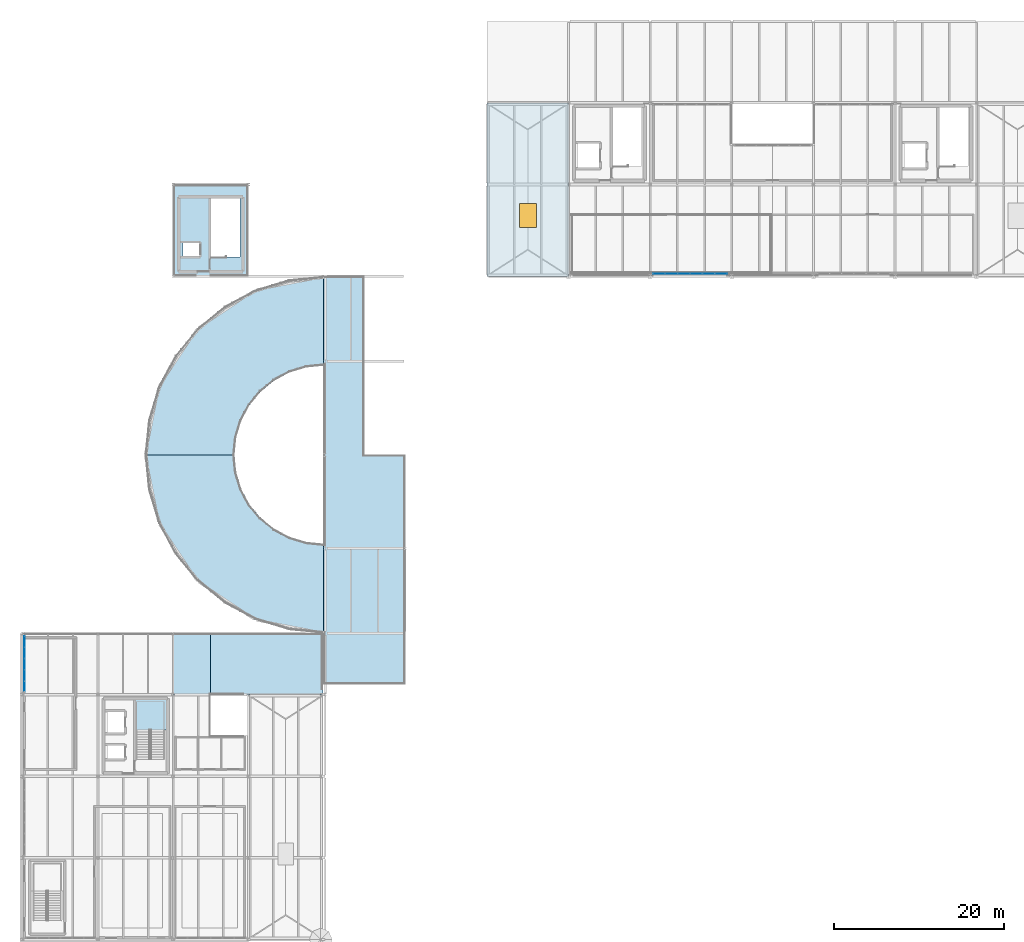
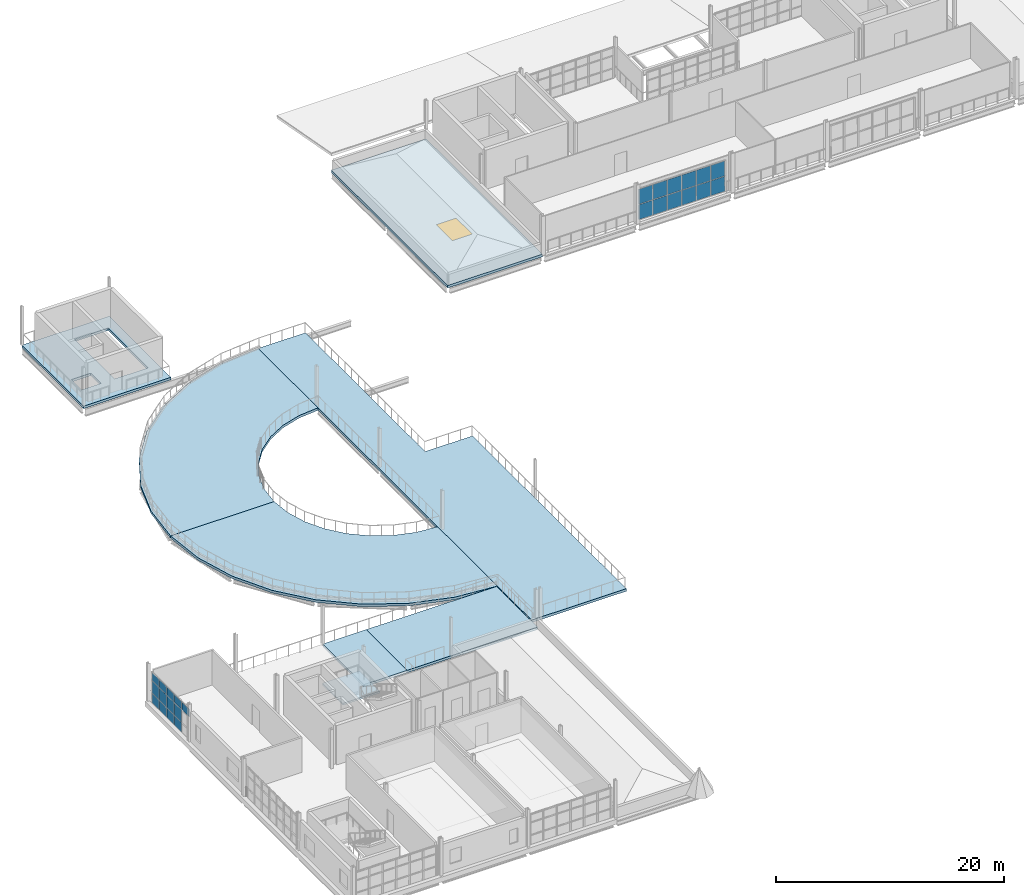
# One storey, part 35 of 58: 25 plates, 8 slabs, 1 window, 1 opening, 3 elements without a shape of their own.
"""IFC4 building model written with IfcOpenShell, lengths in metres."""

from ifc_helpers import new_model, si_unit, direction, frame, origin, origin_2d, place, context, subcontext, project, spatial, polyline, rectangle, outline, extrude, material, layer, layer_set, type_object, element, fill, aggregate, save


model = new_model("IFC4")

# Units and contexts
model_context = context("Model", 3, precision=1e-05, world=origin(), true_north=direction((0.0, 1.0)))
body_context = subcontext(model_context, "Body", "Model", "MODEL_VIEW")
ifc_project = project(units=[si_unit("LENGTHUNIT", "METRE"), si_unit("AREAUNIT", "SQUARE_METRE"), si_unit("VOLUMEUNIT", "CUBIC_METRE"), si_unit("PLANEANGLEUNIT", "RADIAN"), si_unit("MASSUNIT", "GRAM", prefix="KILO")], contexts=[model_context])

# Site, building, storey
site_placement = place(None, origin())
site = spatial("IfcSite", under=ifc_project, at=site_placement, CompositionType="ELEMENT")
building_placement = place(site_placement, origin())
building = spatial("IfcBuilding", under=site, at=building_placement, Name="Yeouljin Market Hall", CompositionType="ELEMENT")
storey_placement = place(building_placement, frame((0.0, 0.0, 10.800048828125)))
storey = spatial("IfcBuildingStorey", under=building, at=storey_placement, Name="L02", CompositionType="ELEMENT", Elevation=10.800048828125)

# Curtain wall, plates
ifc_material_1 = material(Name="Thermally Broken Aluminium", Category="aluminium")
ifc_layer_1 = layer(ifc_material_1, 0.14990234375)
ifc_layer_set_1 = layer_set([ifc_layer_1], Name="Thermally Broken Aluminium")
curtain_wall_type_1 = type_object("IfcCurtainWallType", Name="CW_AcademyRibbon_System", PredefinedType="USERDEFINED", material=ifc_layer_set_1)
curtain_wall_1_placement = place(storey_placement, origin())
curtain_wall_1 = element("IfcCurtainWall", 1, at=curtain_wall_1_placement, inside=storey, type_object=curtain_wall_type_1, Name="Curtain wall CW-L02-W07", ObjectType="CURTAIN WALL", PredefinedType="USERDEFINED")
ifc_material_2 = material(Name="Low-E Insulated Glass", Category="glass")
ifc_layer_2 = layer(ifc_material_2, 0.028076171875)
ifc_layer_set_2 = layer_set([ifc_layer_2], Name="Low-E Insulated Glass")
plate_type = type_object("IfcPlateType", Name="CWPanel_LowE_28", PredefinedType="CURTAIN_PANEL", material=ifc_layer_set_2)
plate_1_placement = place(storey_placement, frame((0.199951171875, 29.77197265625, 2.47412109375), z_axis=(0.0, 0.0, 1.0), x_axis=(0.0, 1.0, 0.0)))
plate_1 = element("IfcPlate", 2, at=plate_1_placement, type_object=plate_type, Name="CW-05 panel 1.3", PredefinedType="CURTAIN_PANEL", context=body_context, shape_type="SweptSolid", body=[
    extrude(rectangle(XDim=1.248046875, YDim=0.028076171875, at=origin_2d()), origin(), (0.0, 0.0, 1.0), 0.827880859375),
])
plate_2_placement = place(storey_placement, frame((0.199951171875, 31.080078125, 0.0478515625), z_axis=(0.0, 0.0, 1.0), x_axis=(0.0, 1.0, 0.0)))
plate_2 = element("IfcPlate", 3, at=plate_2_placement, type_object=plate_type, Name="CW-05 panel 2.1", PredefinedType="CURTAIN_PANEL", context=body_context, shape_type="SweptSolid", body=[
    extrude(rectangle(XDim=1.27197265625, YDim=0.028076171875, at=origin_2d()), origin(), (0.0, 0.0, 1.0), 1.028076171875),
])
plate_3_placement = place(storey_placement, frame((0.199951171875, 31.080078125, 1.1240234375), z_axis=(0.0, 0.0, 1.0), x_axis=(0.0, 1.0, 0.0)))
plate_3 = element("IfcPlate", 4, at=plate_3_placement, type_object=plate_type, Name="CW-05 panel 2.2", PredefinedType="CURTAIN_PANEL", context=body_context, shape_type="SweptSolid", body=[
    extrude(rectangle(XDim=1.27197265625, YDim=0.028076171875, at=origin_2d()), origin(), (0.0, 0.0, 1.0), 1.302001953125),
])
plate_4_placement = place(storey_placement, frame((0.199951171875, 31.080078125, 2.47412109375), z_axis=(0.0, 0.0, 1.0), x_axis=(0.0, 1.0, 0.0)))
plate_4 = element("IfcPlate", 5, at=plate_4_placement, type_object=plate_type, Name="CW-05 panel 2.3", PredefinedType="CURTAIN_PANEL", context=body_context, shape_type="SweptSolid", body=[
    extrude(rectangle(XDim=1.27197265625, YDim=0.028076171875, at=origin_2d()), origin(), (0.0, 0.0, 1.0), 0.827880859375),
])
plate_5_placement = place(storey_placement, frame((0.199951171875, 32.39990234375, 0.0478515625), z_axis=(0.0, 0.0, 1.0), x_axis=(0.0, 1.0, 0.0)))
plate_5 = element("IfcPlate", 6, at=plate_5_placement, type_object=plate_type, Name="CW-05 panel 3.1", PredefinedType="CURTAIN_PANEL", context=body_context, shape_type="SweptSolid", body=[
    extrude(rectangle(XDim=1.27197265625, YDim=0.028076171875, at=origin_2d()), origin(), (0.0, 0.0, 1.0), 1.028076171875),
])
plate_6_placement = place(storey_placement, frame((0.199951171875, 32.39990234375, 1.1240234375), z_axis=(0.0, 0.0, 1.0), x_axis=(0.0, 1.0, 0.0)))
plate_6 = element("IfcPlate", 7, at=plate_6_placement, type_object=plate_type, Name="CW-05 panel 3.2", PredefinedType="CURTAIN_PANEL", context=body_context, shape_type="SweptSolid", body=[
    extrude(rectangle(XDim=1.27197265625, YDim=0.028076171875, at=origin_2d()), origin(), (0.0, 0.0, 1.0), 1.302001953125),
])
plate_7_placement = place(storey_placement, frame((0.199951171875, 32.39990234375, 2.47412109375), z_axis=(0.0, 0.0, 1.0), x_axis=(0.0, 1.0, 0.0)))
plate_7 = element("IfcPlate", 8, at=plate_7_placement, type_object=plate_type, Name="CW-05 panel 3.3", PredefinedType="CURTAIN_PANEL", context=body_context, shape_type="SweptSolid", body=[
    extrude(rectangle(XDim=1.27197265625, YDim=0.028076171875, at=origin_2d()), origin(), (0.0, 0.0, 1.0), 0.827880859375),
])
plate_8_placement = place(storey_placement, frame((0.199951171875, 33.719970703125, 0.0478515625), z_axis=(0.0, 0.0, 1.0), x_axis=(0.0, 1.0, 0.0)))
plate_8 = element("IfcPlate", 9, at=plate_8_placement, type_object=plate_type, Name="CW-05 panel 4.1", PredefinedType="CURTAIN_PANEL", context=body_context, shape_type="SweptSolid", body=[
    extrude(rectangle(XDim=1.27197265625, YDim=0.028076171875, at=origin_2d()), origin(), (0.0, 0.0, 1.0), 1.028076171875),
])
plate_9_placement = place(storey_placement, frame((0.199951171875, 33.719970703125, 1.1240234375), z_axis=(0.0, 0.0, 1.0), x_axis=(0.0, 1.0, 0.0)))
plate_9 = element("IfcPlate", 10, at=plate_9_placement, type_object=plate_type, Name="CW-05 panel 4.2", PredefinedType="CURTAIN_PANEL", context=body_context, shape_type="SweptSolid", body=[
    extrude(rectangle(XDim=1.27197265625, YDim=0.028076171875, at=origin_2d()), origin(), (0.0, 0.0, 1.0), 1.302001953125),
])
plate_10_placement = place(storey_placement, frame((0.199951171875, 33.719970703125, 2.47412109375), z_axis=(0.0, 0.0, 1.0), x_axis=(0.0, 1.0, 0.0)))
plate_10 = element("IfcPlate", 11, at=plate_10_placement, type_object=plate_type, Name="CW-05 panel 4.3", PredefinedType="CURTAIN_PANEL", context=body_context, shape_type="SweptSolid", body=[
    extrude(rectangle(XDim=1.27197265625, YDim=0.028076171875, at=origin_2d()), origin(), (0.0, 0.0, 1.0), 0.827880859375),
])
plate_11_placement = place(storey_placement, frame((0.199951171875, 35.028076171875, 0.0478515625), z_axis=(0.0, 0.0, 1.0), x_axis=(0.0, 1.0, 0.0)))
plate_11 = element("IfcPlate", 12, at=plate_11_placement, type_object=plate_type, Name="CW-05 panel 5.1", PredefinedType="CURTAIN_PANEL", context=body_context, shape_type="SweptSolid", body=[
    extrude(rectangle(XDim=1.248046875, YDim=0.028076171875, at=origin_2d()), origin(), (0.0, 0.0, 1.0), 1.028076171875),
])
plate_12_placement = place(storey_placement, frame((0.199951171875, 35.028076171875, 1.1240234375), z_axis=(0.0, 0.0, 1.0), x_axis=(0.0, 1.0, 0.0)))
plate_12 = element("IfcPlate", 13, at=plate_12_placement, type_object=plate_type, Name="CW-05 panel 5.2", PredefinedType="CURTAIN_PANEL", context=body_context, shape_type="SweptSolid", body=[
    extrude(rectangle(XDim=1.248046875, YDim=0.028076171875, at=origin_2d()), origin(), (0.0, 0.0, 1.0), 1.302001953125),
])
plate_13_placement = place(storey_placement, frame((0.199951171875, 35.028076171875, 2.47412109375), z_axis=(0.0, 0.0, 1.0), x_axis=(0.0, 1.0, 0.0)))
plate_13 = element("IfcPlate", 14, at=plate_13_placement, type_object=plate_type, Name="CW-05 panel 5.3", PredefinedType="CURTAIN_PANEL", context=body_context, shape_type="SweptSolid", body=[
    extrude(rectangle(XDim=1.248046875, YDim=0.028076171875, at=origin_2d()), origin(), (0.0, 0.0, 1.0), 0.827880859375),
])
aggregate(curtain_wall_1, [plate_1, plate_2, plate_3, plate_4, plate_5, plate_6, plate_7, plate_8, plate_9, plate_10, plate_11, plate_12, plate_13])

ifc_material_3 = material(Name="Thermally Broken Aluminium", Category="aluminium")
ifc_layer_3 = layer(ifc_material_3, 0.14990234375)
ifc_layer_set_3 = layer_set([ifc_layer_3], Name="Thermally Broken Aluminium")
curtain_wall_type_2 = type_object("IfcCurtainWallType", Name="CW_WingStorefront_System", PredefinedType="USERDEFINED", material=ifc_layer_set_3)
curtain_wall_2_placement = place(storey_placement, origin())
curtain_wall_2 = element("IfcCurtainWall", 15, at=curtain_wall_2_placement, inside=storey, type_object=curtain_wall_type_2, Name="Curtain wall CW-CRT-L02-25", ObjectType="CURTAIN WALL", PredefinedType="USERDEFINED")
plate_14_placement = place(storey_placement, frame((74.84521484375, 78.300048828125, 0.0478515625), z_axis=(0.0, 0.0, 1.0), x_axis=(1.0, 0.0, 0.0)))
plate_14 = element("IfcPlate", 16, at=plate_14_placement, type_object=plate_type, Name="CW-04 panel 1.1", PredefinedType="CURTAIN_PANEL", context=body_context, shape_type="SweptSolid", body=[
    extrude(rectangle(XDim=1.394775390625, YDim=0.028076171875, at=origin_2d()), origin(), (0.0, 0.0, 1.0), 1.60302734375),
])
plate_15_placement = place(storey_placement, frame((74.84521484375, 78.300048828125, 1.698974609375), z_axis=(0.0, 0.0, 1.0), x_axis=(1.0, 0.0, 0.0)))
plate_15 = element("IfcPlate", 17, at=plate_15_placement, type_object=plate_type, Name="CW-04 panel 1.2", PredefinedType="CURTAIN_PANEL", context=body_context, shape_type="SweptSolid", body=[
    extrude(rectangle(XDim=1.394775390625, YDim=0.028076171875, at=origin_2d()), origin(), (0.0, 0.0, 1.0), 1.60302734375),
])
plate_16_placement = place(storey_placement, frame((76.300048828125, 78.300048828125, 0.0478515625), z_axis=(0.0, 0.0, 1.0), x_axis=(1.0, 0.0, 0.0)))
plate_16 = element("IfcPlate", 18, at=plate_16_placement, type_object=plate_type, Name="CW-04 panel 2.1", PredefinedType="CURTAIN_PANEL", context=body_context, shape_type="SweptSolid", body=[
    extrude(rectangle(XDim=1.418701171875, YDim=0.028076171875, at=origin_2d()), origin(), (0.0, 0.0, 1.0), 1.60302734375),
])
plate_17_placement = place(storey_placement, frame((76.300048828125, 78.300048828125, 1.698974609375), z_axis=(0.0, 0.0, 1.0), x_axis=(1.0, 0.0, 0.0)))
plate_17 = element("IfcPlate", 19, at=plate_17_placement, type_object=plate_type, Name="CW-04 panel 2.2", PredefinedType="CURTAIN_PANEL", context=body_context, shape_type="SweptSolid", body=[
    extrude(rectangle(XDim=1.418701171875, YDim=0.028076171875, at=origin_2d()), origin(), (0.0, 0.0, 1.0), 1.60302734375),
])
plate_18_placement = place(storey_placement, frame((77.7666015625, 78.300048828125, 0.0478515625), z_axis=(0.0, 0.0, 1.0), x_axis=(1.0, 0.0, 0.0)))
plate_18 = element("IfcPlate", 20, at=plate_18_placement, type_object=plate_type, Name="CW-04 panel 3.1", PredefinedType="CURTAIN_PANEL", context=body_context, shape_type="SweptSolid", body=[
    extrude(rectangle(XDim=1.418701171875, YDim=0.028076171875, at=origin_2d()), origin(), (0.0, 0.0, 1.0), 1.60302734375),
])
plate_19_placement = place(storey_placement, frame((77.7666015625, 78.300048828125, 1.698974609375), z_axis=(0.0, 0.0, 1.0), x_axis=(1.0, 0.0, 0.0)))
plate_19 = element("IfcPlate", 21, at=plate_19_placement, type_object=plate_type, Name="CW-04 panel 3.2", PredefinedType="CURTAIN_PANEL", context=body_context, shape_type="SweptSolid", body=[
    extrude(rectangle(XDim=1.418701171875, YDim=0.028076171875, at=origin_2d()), origin(), (0.0, 0.0, 1.0), 1.60302734375),
])
plate_20_placement = place(storey_placement, frame((79.2333984375, 78.300048828125, 0.0478515625), z_axis=(0.0, 0.0, 1.0), x_axis=(1.0, 0.0, 0.0)))
plate_20 = element("IfcPlate", 22, at=plate_20_placement, type_object=plate_type, Name="CW-04 panel 4.1", PredefinedType="CURTAIN_PANEL", context=body_context, shape_type="SweptSolid", body=[
    extrude(rectangle(XDim=1.418701171875, YDim=0.028076171875, at=origin_2d()), origin(), (0.0, 0.0, 1.0), 1.60302734375),
])
plate_21_placement = place(storey_placement, frame((79.2333984375, 78.300048828125, 1.698974609375), z_axis=(0.0, 0.0, 1.0), x_axis=(1.0, 0.0, 0.0)))
plate_21 = element("IfcPlate", 23, at=plate_21_placement, type_object=plate_type, Name="CW-04 panel 4.2", PredefinedType="CURTAIN_PANEL", context=body_context, shape_type="SweptSolid", body=[
    extrude(rectangle(XDim=1.418701171875, YDim=0.028076171875, at=origin_2d()), origin(), (0.0, 0.0, 1.0), 1.60302734375),
])
plate_22_placement = place(storey_placement, frame((80.699951171875, 78.300048828125, 0.0478515625), z_axis=(0.0, 0.0, 1.0), x_axis=(1.0, 0.0, 0.0)))
plate_22 = element("IfcPlate", 24, at=plate_22_placement, type_object=plate_type, Name="CW-04 panel 5.1", PredefinedType="CURTAIN_PANEL", context=body_context, shape_type="SweptSolid", body=[
    extrude(rectangle(XDim=1.418701171875, YDim=0.028076171875, at=origin_2d()), origin(), (0.0, 0.0, 1.0), 1.60302734375),
])
plate_23_placement = place(storey_placement, frame((80.699951171875, 78.300048828125, 1.698974609375), z_axis=(0.0, 0.0, 1.0), x_axis=(1.0, 0.0, 0.0)))
plate_23 = element("IfcPlate", 25, at=plate_23_placement, type_object=plate_type, Name="CW-04 panel 5.2", PredefinedType="CURTAIN_PANEL", context=body_context, shape_type="SweptSolid", body=[
    extrude(rectangle(XDim=1.418701171875, YDim=0.028076171875, at=origin_2d()), origin(), (0.0, 0.0, 1.0), 1.60302734375),
])
plate_24_placement = place(storey_placement, frame((82.15478515625, 78.300048828125, 0.0478515625), z_axis=(0.0, 0.0, 1.0), x_axis=(1.0, 0.0, 0.0)))
plate_24 = element("IfcPlate", 26, at=plate_24_placement, type_object=plate_type, Name="CW-04 panel 6.1", PredefinedType="CURTAIN_PANEL", context=body_context, shape_type="SweptSolid", body=[
    extrude(rectangle(XDim=1.394775390625, YDim=0.028076171875, at=origin_2d()), origin(), (0.0, 0.0, 1.0), 1.60302734375),
])
plate_25_placement = place(storey_placement, frame((82.15478515625, 78.300048828125, 1.698974609375), z_axis=(0.0, 0.0, 1.0), x_axis=(1.0, 0.0, 0.0)))
plate_25 = element("IfcPlate", 27, at=plate_25_placement, type_object=plate_type, Name="CW-04 panel 6.2", PredefinedType="CURTAIN_PANEL", context=body_context, shape_type="SweptSolid", body=[
    extrude(rectangle(XDim=1.394775390625, YDim=0.028076171875, at=origin_2d()), origin(), (0.0, 0.0, 1.0), 1.60302734375),
])
aggregate(curtain_wall_2, [plate_14, plate_15, plate_16, plate_17, plate_18, plate_19, plate_20, plate_21, plate_22, plate_23, plate_24, plate_25])

# Slabs
ifc_material_4 = material(Name="Concrete C30/37", Category="concrete")
ifc_layer_4 = layer(ifc_material_4, 0.27001953125)
ifc_layer_set_4 = layer_set([ifc_layer_4], Name="Concrete C30/37")
slab_type_1 = type_object("IfcSlabType", Name="SLB_MEZZ_240", PredefinedType="FLOOR", material=ifc_layer_set_4)
slab_1_placement = place(storey_placement, frame((0.0, 0.0, -0.27001953125)))
element("IfcSlab", 28, at=slab_1_placement, inside=storey, type_object=slab_type_1, Name="Structural slab SLB-L02-AWS", PredefinedType="FLOOR", context=body_context, shape_type="SweptSolid", body=[
    extrude(outline(polyline([(14.39990234375, 57.0), (14.803466796875, 52.903076171875), (15.99853515625, 48.963623046875), (17.939208984375, 45.3330078125), (20.55078125, 42.15087890625), (23.73291015625, 39.5390625), (27.363525390625, 37.598388671875), (31.302978515625, 36.403564453125), (35.39990234375, 36.0), (35.39990234375, 46.5), (33.3515625, 46.701904296875), (31.3818359375, 47.29931640625), (29.56640625, 48.26953125), (27.975341796875, 49.575439453125), (26.669677734375, 51.16650390625), (25.69921875, 52.981689453125), (25.101806640625, 54.95166015625), (24.89990234375, 57.0), (14.39990234375, 57.0)])), origin(), (0.0, 0.0, 1.0), 0.27001953125),
])
slab_2_placement = place(storey_placement, frame((0.0, 0.0, -0.27001953125)))
element("IfcSlab", 29, at=slab_2_placement, inside=storey, type_object=slab_type_1, Name="Structural slab SLB-L02-AWN", PredefinedType="FLOOR", context=body_context, shape_type="SweptSolid", body=[
    extrude(outline(polyline([(35.39990234375, 78.0), (31.302978515625, 77.596435546875), (27.363525390625, 76.401611328125), (23.73291015625, 74.4609375), (20.55078125, 71.84912109375), (17.939208984375, 68.6669921875), (15.99853515625, 65.036376953125), (14.803466796875, 61.096923828125), (14.39990234375, 57.0), (24.89990234375, 57.0), (25.101806640625, 59.04833984375), (25.69921875, 61.018310546875), (26.669677734375, 62.83349609375), (27.975341796875, 64.424560546875), (29.56640625, 65.73046875), (31.3818359375, 66.70068359375), (33.3515625, 67.298095703125), (35.39990234375, 67.5), (35.39990234375, 78.0)])), origin(), (0.0, 0.0, 1.0), 0.27001953125),
])
slab_3_placement = place(storey_placement, frame((0.0, 0.0, -0.27001953125)))
element("IfcSlab", 30, at=slab_3_placement, inside=storey, type_object=slab_type_1, Name="Structural slab SLB-L02-BW", PredefinedType="FLOOR", context=body_context, shape_type="SweptSolid", body=[
    extrude(outline(polyline([(35.39990234375, 30.0), (45.0, 30.0), (45.0, 57.0), (40.199951171875, 57.0), (40.199951171875, 78.0), (35.39990234375, 78.0), (35.39990234375, 30.0)])), origin(), (0.0, 0.0, 1.0), 0.27001953125),
])

# Slab, opening, window
ifc_material_5 = material(Name="Concrete C30/37", Category="concrete")
ifc_layer_5 = layer(ifc_material_5, 0.27490234375)
ifc_layer_set_5 = layer_set([ifc_layer_5], Name="Concrete C30/37")
slab_type_2 = type_object("IfcSlabType", Name="SLB_ROOF_210", PredefinedType="ROOF", material=ifc_layer_set_5)
slab_4_placement = place(storey_placement, frame((0.0, 0.0, -0.26513671875)))
slab_4 = element("IfcSlab", 31, at=slab_4_placement, inside=storey, type_object=slab_type_2, Name="Wing structural roof slab RSLB-V4-L02W", PredefinedType="ROOF", context=body_context, shape_type="SweptSolid", body=[
    extrude(outline(polyline([(54.60009765625, 78.0), (64.199951171875, 78.0), (64.199951171875, 98.39990234375), (54.60009765625, 98.39990234375), (54.60009765625, 78.0)])), origin(), (0.0, 0.0, 1.0), 0.275146484375),
])
opening_placement = place(slab_4_placement, frame((59.39990234375, 85.139892578125, 0.0)))
opening = element("IfcOpeningElement", 32, at=opening_placement, cuts=slab_4, Name="Opening SK-03", PredefinedType="OPENING", context=body_context, shape_type="SweptSolid", body=[
    extrude(rectangle(XDim=2.0, YDim=2.800048828125, at=origin_2d()), origin(), (0.0, 0.0, 1.0), 0.275146484375),
])
ifc_material_6 = material(Name="Low-E Insulated Glass", Category="glass")
window_type = type_object("IfcWindowType", Name="Skylight_2000x2800", PartitioningType="SINGLE_PANEL", PredefinedType="SKYLIGHT", material=ifc_material_6)
window_placement = place(opening_placement, frame((0.0, 0.0, 0.22509765625)))
window = element("IfcWindow", 33, at=window_placement, inside=storey, type_object=window_type, Name="Roof skylight 15", OverallHeight=2.800048828125, OverallWidth=2.0, PartitioningType="SINGLE_PANEL", PredefinedType="SKYLIGHT", context=body_context, shape_type="SweptSolid", body=[
    extrude(rectangle(XDim=2.0, YDim=2.800048828125, at=origin_2d()), origin(), (0.0, 0.0, 1.0), 0.050048828125),
])
fill(opening, window)

# Slabs
ifc_material_7 = material(Name="Concrete C30/37", Category="concrete")
ifc_layer_6 = layer(ifc_material_7, 0.264892578125)
ifc_layer_set_6 = layer_set([ifc_layer_6], Name="Concrete C30/37")
slab_type_3 = type_object("IfcSlabType", Name="SLB_WING_220", PredefinedType="FLOOR", material=ifc_layer_set_6)
slab_5_placement = place(storey_placement, frame((0.0, 0.0, -0.26513671875)))
element("IfcSlab", 34, at=slab_5_placement, inside=storey, type_object=slab_type_3, Name="Structural slab SLB-L02-WS2B", PredefinedType="FLOOR", context=body_context, shape_type="SweptSolid", body=[
    extrude(outline(polyline([(17.699951171875, 28.800048828125), (22.10009765625, 28.800048828125), (22.10009765625, 36.0), (17.699951171875, 36.0), (17.699951171875, 28.800048828125)])), origin(), (0.0, 0.0, 1.0), 0.26513671875),
])
slab_6_placement = place(storey_placement, frame((0.0, 0.0, -0.26513671875)))
element("IfcSlab", 35, at=slab_6_placement, inside=storey, type_object=slab_type_3, Name="Structural slab SLB-L02-WN", PredefinedType="FLOOR", context=body_context, shape_type="SweptSolid", body=[
    extrude(outline(polyline([(17.699951171875, 78.0), (26.550048828125, 78.0), (26.550048828125, 88.800048828125), (17.699951171875, 88.800048828125), (17.699951171875, 78.0)]), holes=[polyline([(22.14990234375, 80.25), (25.550048828125, 80.25), (25.550048828125, 87.27001953125), (22.14990234375, 87.27001953125), (22.14990234375, 80.25)]), polyline([(18.824951171875, 80.25), (20.77490234375, 80.25), (20.77490234375, 82.050048828125), (18.824951171875, 82.050048828125), (18.824951171875, 80.25)])]), origin(), (0.0, 0.0, 1.0), 0.26513671875),
])
slab_7_placement = place(storey_placement, frame((0.0, 0.0, -0.26513671875)))
element("IfcSlab", 36, at=slab_7_placement, inside=storey, type_object=slab_type_3, Name="Structural slab SLB-L02-LKW", PredefinedType="FLOOR", context=body_context, shape_type="SweptSolid", body=[
    extrude(outline(polyline([(22.10009765625, 28.800048828125), (35.320068359375, 28.800048828125), (35.320068359375, 36.0), (22.10009765625, 36.0), (22.10009765625, 28.800048828125)])), origin(), (0.0, 0.0, 1.0), 0.26513671875),
])

# Stair, slab
ifc_material_8 = material(Name="Concrete C30/37", Category="concrete")
stair_type = type_object("IfcStairType", Name="Stair_Core_L02_L03", PredefinedType="TWO_STRAIGHT_RUN_STAIR", material=ifc_material_8)
stair_placement = place(storey_placement, origin())
stair = element("IfcStair", 37, at=stair_placement, inside=storey, type_object=stair_type, Name="Enclosed exit stair ST-C1-L02", PredefinedType="TWO_STRAIGHT_RUN_STAIR")
ifc_material_9 = material(Name="Concrete C30/37", Category="concrete")
ifc_layer_7 = layer(ifc_material_9, 0.199951171875)
ifc_layer_set_7 = layer_set([ifc_layer_7], Name="Concrete C30/37")
slab_type_4 = type_object("IfcSlabType", Name="StairLanding_200", PredefinedType="LANDING", material=ifc_layer_set_7)
slab_8_placement = place(storey_placement, frame((0.0, 0.0, 1.89990234375)))
slab_8 = element("IfcSlab", 38, at=slab_8_placement, type_object=slab_type_4, Name="ST-C1-L02 landing 1", PredefinedType="LANDING", context=body_context, shape_type="SweptSolid", body=[
    extrude(outline(polyline([(13.179931640625, 24.639892578125), (16.929931640625, 24.639892578125), (16.929931640625, 28.22998046875), (13.179931640625, 28.22998046875), (13.179931640625, 24.639892578125)])), origin(), (0.0, 0.0, 1.0), 0.199951171875),
])
aggregate(stair, [slab_8])

save(model, "model.ifc")
